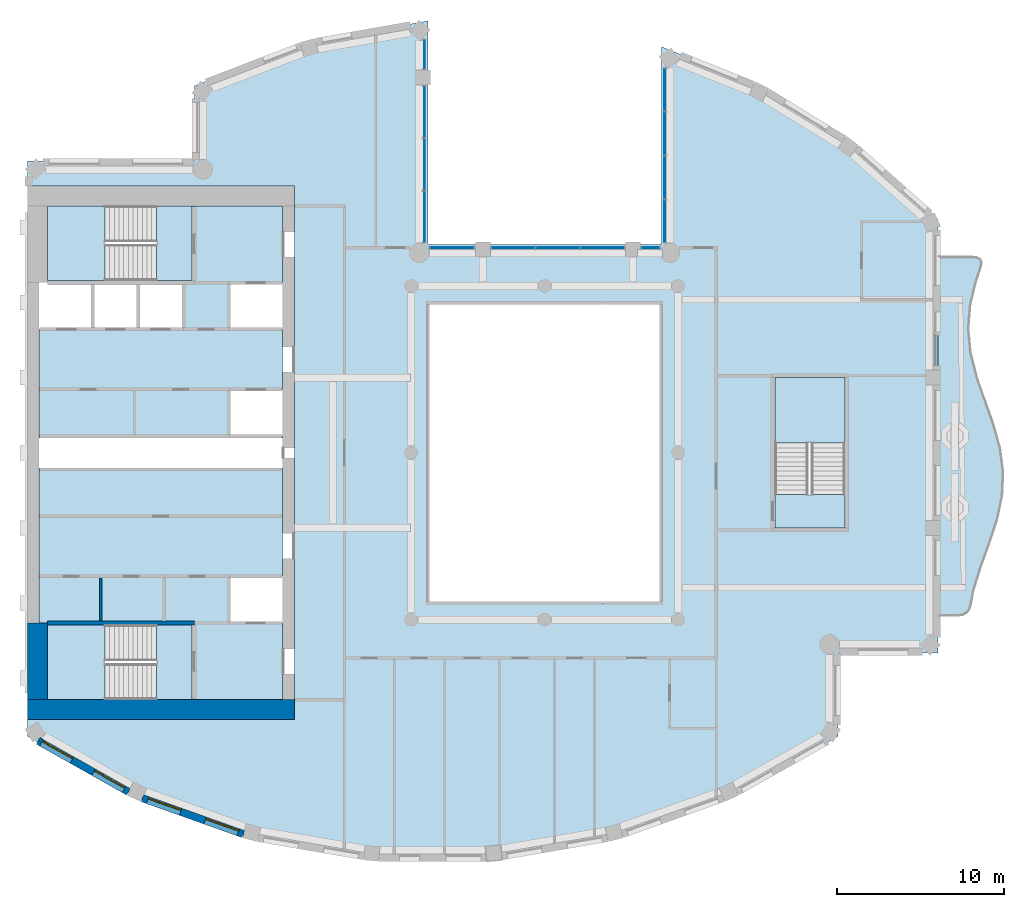
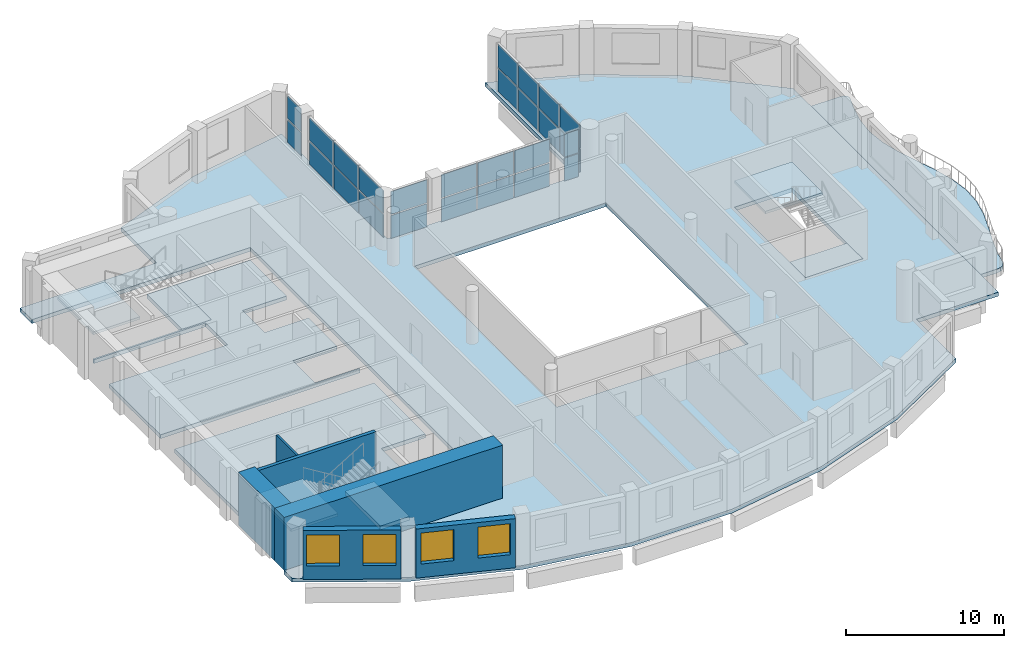
# One storey, part 4 of 15: 26 plates, 10 slabs, 6 walls, 4 windows, 4 openings, 9 elements without a shape of their own.
"""IFC4 building model written with IfcOpenShell, lengths in metres."""

from ifc_helpers import new_model, si_unit, direction, frame, frame_2d, origin, origin_2d, place, context, subcontext, project, spatial, polyline, rectangle, outline, extrude, material, layer, layer_set, type_object, element, fill, aggregate, save


model = new_model("IFC4")

# Units and contexts
model_context = context("Model", 3, precision=1e-05, world=origin(), true_north=direction((0.0, 1.0)))
body_context = subcontext(model_context, "Body", "Model", "MODEL_VIEW")
ifc_project = project(units=[si_unit("LENGTHUNIT", "METRE"), si_unit("AREAUNIT", "SQUARE_METRE"), si_unit("VOLUMEUNIT", "CUBIC_METRE"), si_unit("PLANEANGLEUNIT", "RADIAN"), si_unit("MASSUNIT", "GRAM", prefix="KILO")], contexts=[model_context])

# Site, building, storey
site_placement = place(None, origin())
site = spatial("IfcSite", under=ifc_project, at=site_placement, CompositionType="ELEMENT")
building_placement = place(site_placement, origin())
building = spatial("IfcBuilding", under=site, at=building_placement, Name="Cypress Arch Tower", CompositionType="ELEMENT")
storey_placement = place(building_placement, frame((0.0, 0.0, 309.0)))
storey = spatial("IfcBuildingStorey", under=building, at=storey_placement, Name="L70", CompositionType="ELEMENT", Elevation=309.0)

# Slabs
ifc_material_1 = material(Name="Concrete C40/50", Category="concrete")
ifc_layer_1 = layer(ifc_material_1, 0.300048828125)
ifc_layer_set_1 = layer_set([ifc_layer_1], Name="Balcony slab BS300")
slab_type_1 = type_object("IfcSlabType", Name="Balcony slab BS300", PredefinedType="USERDEFINED", material=ifc_layer_set_1)
slab_1_placement = place(storey_placement, frame((0.0, 0.0, -0.300048828125)))
element("IfcSlab", 1, at=slab_1_placement, inside=storey, type_object=slab_type_1, Name="Balcony slab L70-C17", ObjectType="BALCONY SLAB", PredefinedType="USERDEFINED", context=body_context, shape_type="SweptSolid", body=[
    extrude(outline(polyline([(24.60009765625, -9.75), (25.78076171875, -9.75), (26.074462890625, -9.709716796875), (26.300537109375, -9.5888671875), (26.459228515625, -9.38720703125), (26.55029296875, -9.10498046875), (26.6904296875, -8.316650390625), (27.13134765625, -6.88330078125), (27.650390625, -5.449951171875), (28.1201171875, -4.0166015625), (28.42578125, -2.583251953125), (28.4921875, -1.14990234375), (28.302978515625, 0.283447265625), (27.90478515625, 1.716552734375), (27.39501953125, 3.14990234375), (26.898681640625, 4.583251953125), (26.53759765625, 6.0166015625), (26.400146484375, 7.449951171875), (26.52001953125, 8.88330078125), (26.867919921875, 10.316650390625), (27.1376953125, 11.10498046875), (27.191650390625, 11.38720703125), (27.1328125, 11.5888671875), (26.961181640625, 11.709716796875), (26.6767578125, 11.75), (24.60009765625, 11.75), (24.60009765625, -9.75)])), origin(), (0.0, 0.0, 1.0), 0.300048828125),
])
ifc_material_2 = material(Name="Concrete C40/50", Category="concrete")
ifc_layer_2 = layer(ifc_material_2, 0.300048828125)
ifc_layer_set_2 = layer_set([ifc_layer_2], Name="Core floor CF300")
slab_type_2 = type_object("IfcSlabType", Name="Core floor CF300", PredefinedType="FLOOR", material=ifc_layer_set_2)
slab_2_placement = place(storey_placement, frame((0.0, 0.0, -0.300048828125)))
element("IfcSlab", 2, at=slab_2_placement, inside=storey, type_object=slab_type_2, Name="Core floor", PredefinedType="FLOOR", context=body_context, shape_type="SweptSolid", body=[
    extrude(outline(polyline([(-28.89990234375, -10.199951171875), (-29.300048828125, -10.199951171875), (-29.300048828125, -0.89990234375), (-28.89990234375, -0.89990234375), (-15.10009765625, -0.89990234375), (-14.699951171875, -0.89990234375), (-14.699951171875, -7.39990234375), (-15.10009765625, -7.39990234375), (-17.919921875, -7.39990234375), (-17.919921875, -10.199951171875), (-15.10009765625, -10.199951171875), (-14.699951171875, -10.199951171875), (-14.699951171875, -14.800048828125), (-15.10009765625, -14.800048828125), (-20.125, -14.800048828125), (-20.125, -10.324951171875), (-22.27490234375, -10.324951171875), (-28.800048828125, -10.324951171875), (-28.800048828125, -10.199951171875), (-28.89990234375, -10.199951171875)])), origin(), (0.0, 0.0, 1.0), 0.300048828125),
])
slab_3_placement = place(storey_placement, frame((0.0, 0.0, -0.300048828125)))
element("IfcSlab", 3, at=slab_3_placement, inside=storey, type_object=slab_type_2, Name="Core floor", PredefinedType="FLOOR", context=body_context, shape_type="SweptSolid", body=[
    extrude(outline(polyline([(-22.27490234375, -10.324951171875), (-22.27490234375, -14.800048828125), (-20.125, -14.800048828125), (-20.125, -10.324951171875), (-22.27490234375, -10.324951171875)])), origin(), (0.0, 0.0, 1.0), 0.300048828125),
])
slab_4_placement = place(storey_placement, frame((0.0, 0.0, -0.300048828125)))
element("IfcSlab", 4, at=slab_4_placement, inside=storey, type_object=slab_type_2, Name="Core floor", PredefinedType="FLOOR", context=body_context, shape_type="SweptSolid", body=[
    extrude(outline(polyline([(-20.125, 14.800048828125), (-22.27490234375, 14.800048828125), (-22.27490234375, 10.324951171875), (-20.125, 10.324951171875), (-20.125, 14.800048828125)])), origin(), (0.0, 0.0, 1.0), 0.300048828125),
])
slab_5_placement = place(storey_placement, frame((0.0, 0.0, -0.300048828125)))
element("IfcSlab", 5, at=slab_5_placement, inside=storey, type_object=slab_type_2, Name="Stair floor landing", PredefinedType="FLOOR", context=body_context, shape_type="SweptSolid", body=[
    extrude(outline(polyline([(19.0, -4.5), (19.0, -2.5), (14.800048828125, -2.5), (14.800048828125, -4.5), (19.0, -4.5)])), origin(), (0.0, 0.0, 1.0), 0.300048828125),
])
slab_6_placement = place(storey_placement, frame((0.0, 0.0, -0.300048828125)))
element("IfcSlab", 6, at=slab_6_placement, inside=storey, type_object=slab_type_2, Name="Core floor", PredefinedType="FLOOR", context=body_context, shape_type="SweptSolid", body=[
    extrude(outline(polyline([(-20.639892578125, 10.199951171875), (-23.360107421875, 10.199951171875), (-26.080078125, 10.199951171875), (-28.800048828125, 10.199951171875), (-28.800048828125, 10.324951171875), (-22.27490234375, 10.324951171875), (-20.125, 10.324951171875), (-20.125, 14.800048828125), (-15.10009765625, 14.800048828125), (-14.699951171875, 14.800048828125), (-14.699951171875, 10.199951171875), (-15.10009765625, 10.199951171875), (-17.919921875, 10.199951171875), (-17.919921875, 7.39990234375), (-15.10009765625, 7.39990234375), (-14.699951171875, 7.39990234375), (-14.699951171875, 3.800048828125), (-15.10009765625, 3.800048828125), (-17.919921875, 3.800048828125), (-17.919921875, 1.5), (-17.919921875, 1.0), (-17.5, 1.0), (-15.10009765625, 1.0), (-14.699951171875, 1.0), (-14.699951171875, 0.89990234375), (-15.10009765625, 0.89990234375), (-17.5, 0.89990234375), (-18.300048828125, 0.89990234375), (-28.89990234375, 0.89990234375), (-29.300048828125, 0.89990234375), (-29.300048828125, 1.5), (-29.300048828125, 7.39990234375), (-28.89990234375, 7.39990234375), (-26.080078125, 7.39990234375), (-23.360107421875, 7.39990234375), (-20.639892578125, 7.39990234375), (-20.639892578125, 10.199951171875)])), origin(), (0.0, 0.0, 1.0), 0.300048828125),
])

# Curtain wall, plates
ifc_material_3 = material(Name="Anodised aluminium, bronze finish, clear laminated double glazing", Category="aluminium")
curtain_wall_type = type_object("IfcCurtainWallType", Name="Curtain wall CW7 slot glazing", PredefinedType="NOTDEFINED", material=ifc_material_3)
curtain_wall_1_placement = place(storey_placement, origin())
curtain_wall_1 = element("IfcCurtainWall", 7, at=curtain_wall_1_placement, inside=storey, type_object=curtain_wall_type, Name="Curtain wall L70 slot C00.0", PredefinedType="NOTDEFINED")
ifc_material_4 = material(Name="Clear laminated double glazing", Category="glass")
ifc_layer_3 = layer(ifc_material_4, 0.0439453125)
ifc_layer_set_3 = layer_set([ifc_layer_3], Name="Glass panel CW7 44")
plate_type = type_object("IfcPlateType", Name="Glass panel CW7 44", PredefinedType="CURTAIN_PANEL", material=ifc_layer_set_3)
plate_1_placement = place(storey_placement, frame((8.199951171875, 21.76220703125, 0.0849609375), z_axis=(0.0, 0.0, 1.0), x_axis=(0.0, -1.0, 0.0)))
plate_1 = element("IfcPlate", 8, at=plate_1_placement, type_object=plate_type, Name="CW7 panel 1.1", PredefinedType="CURTAIN_PANEL", context=body_context, shape_type="SweptSolid", body=[
    extrude(rectangle(XDim=2.510986328125, YDim=0.0439453125, at=origin_2d()), origin(), (0.0, 0.0, 1.0), 1.7724609375),
])
plate_2_placement = place(storey_placement, frame((8.199951171875, 21.76220703125, 1.942626953125), z_axis=(0.0, 0.0, 1.0), x_axis=(0.0, -1.0, 0.0)))
plate_2 = element("IfcPlate", 9, at=plate_2_placement, type_object=plate_type, Name="CW7 panel 1.2", PredefinedType="CURTAIN_PANEL", context=body_context, shape_type="SweptSolid", body=[
    extrude(rectangle(XDim=2.510986328125, YDim=0.0439453125, at=origin_2d()), origin(), (0.0, 0.0, 1.0), 1.7724609375),
])
plate_3_placement = place(storey_placement, frame((8.199951171875, 19.144775390625, 0.0849609375), z_axis=(0.0, 0.0, 1.0), x_axis=(0.0, -1.0, 0.0)))
plate_3 = element("IfcPlate", 10, at=plate_3_placement, type_object=plate_type, Name="CW7 panel 2.1", PredefinedType="CURTAIN_PANEL", context=body_context, shape_type="SweptSolid", body=[
    extrude(rectangle(XDim=2.553466796875, YDim=0.0439453125, at=origin_2d()), origin(), (0.0, 0.0, 1.0), 1.7724609375),
])
plate_4_placement = place(storey_placement, frame((8.199951171875, 19.144775390625, 1.942626953125), z_axis=(0.0, 0.0, 1.0), x_axis=(0.0, -1.0, 0.0)))
plate_4 = element("IfcPlate", 11, at=plate_4_placement, type_object=plate_type, Name="CW7 panel 2.2", PredefinedType="CURTAIN_PANEL", context=body_context, shape_type="SweptSolid", body=[
    extrude(rectangle(XDim=2.553466796875, YDim=0.0439453125, at=origin_2d()), origin(), (0.0, 0.0, 1.0), 1.7724609375),
])
plate_5_placement = place(storey_placement, frame((8.199951171875, 16.50634765625, 0.0849609375), z_axis=(0.0, 0.0, 1.0), x_axis=(0.0, -1.0, 0.0)))
plate_5 = element("IfcPlate", 12, at=plate_5_placement, type_object=plate_type, Name="CW7 panel 3.1", PredefinedType="CURTAIN_PANEL", context=body_context, shape_type="SweptSolid", body=[
    extrude(rectangle(XDim=2.553466796875, YDim=0.0439453125, at=origin_2d()), origin(), (0.0, 0.0, 1.0), 1.7724609375),
])
plate_6_placement = place(storey_placement, frame((8.199951171875, 16.50634765625, 1.942626953125), z_axis=(0.0, 0.0, 1.0), x_axis=(0.0, -1.0, 0.0)))
plate_6 = element("IfcPlate", 13, at=plate_6_placement, type_object=plate_type, Name="CW7 panel 3.2", PredefinedType="CURTAIN_PANEL", context=body_context, shape_type="SweptSolid", body=[
    extrude(rectangle(XDim=2.553466796875, YDim=0.0439453125, at=origin_2d()), origin(), (0.0, 0.0, 1.0), 1.7724609375),
])
plate_7_placement = place(storey_placement, frame((8.199951171875, 13.888916015625, 0.0849609375), z_axis=(0.0, 0.0, 1.0), x_axis=(0.0, -1.0, 0.0)))
plate_7 = element("IfcPlate", 14, at=plate_7_placement, type_object=plate_type, Name="CW7 panel 4.1", PredefinedType="CURTAIN_PANEL", context=body_context, shape_type="SweptSolid", body=[
    extrude(rectangle(XDim=2.510986328125, YDim=0.0439453125, at=origin_2d()), origin(), (0.0, 0.0, 1.0), 1.7724609375),
])
plate_8_placement = place(storey_placement, frame((8.199951171875, 13.888916015625, 1.942626953125), z_axis=(0.0, 0.0, 1.0), x_axis=(0.0, -1.0, 0.0)))
plate_8 = element("IfcPlate", 15, at=plate_8_placement, type_object=plate_type, Name="CW7 panel 4.2", PredefinedType="CURTAIN_PANEL", context=body_context, shape_type="SweptSolid", body=[
    extrude(rectangle(XDim=2.510986328125, YDim=0.0439453125, at=origin_2d()), origin(), (0.0, 0.0, 1.0), 1.7724609375),
])
aggregate(curtain_wall_1, [plate_1, plate_2, plate_3, plate_4, plate_5, plate_6, plate_7, plate_8])

curtain_wall_2_placement = place(storey_placement, origin())
curtain_wall_2 = element("IfcCurtainWall", 16, at=curtain_wall_2_placement, inside=storey, type_object=curtain_wall_type, Name="Curtain wall L70 slot C01.0", PredefinedType="NOTDEFINED")
plate_9_placement = place(storey_placement, frame((7.350830078125, 12.300048828125, 0.0849609375), z_axis=(0.0, 0.0, 1.0), x_axis=(-1.0, 0.0, 0.0)))
plate_9 = element("IfcPlate", 17, at=plate_9_placement, type_object=plate_type, Name="CW7 panel 1.1", PredefinedType="CURTAIN_PANEL", context=body_context, shape_type="SweptSolid", body=[
    extrude(rectangle(XDim=1.031494140625, YDim=0.0439453125, at=origin_2d()), origin(), (0.0, 0.0, 1.0), 1.7724609375),
])
plate_10_placement = place(storey_placement, frame((7.350830078125, 12.300048828125, 1.942626953125), z_axis=(0.0, 0.0, 1.0), x_axis=(-1.0, 0.0, 0.0)))
plate_10 = element("IfcPlate", 18, at=plate_10_placement, type_object=plate_type, Name="CW7 panel 1.2", PredefinedType="CURTAIN_PANEL", context=body_context, shape_type="SweptSolid", body=[
    extrude(rectangle(XDim=1.031494140625, YDim=0.0439453125, at=origin_2d()), origin(), (0.0, 0.0, 1.0), 1.7724609375),
])
aggregate(curtain_wall_2, [plate_9, plate_10])

curtain_wall_3_placement = place(storey_placement, origin())
curtain_wall_3 = element("IfcCurtainWall", 19, at=curtain_wall_3_placement, inside=storey, type_object=curtain_wall_type, Name="Curtain wall L70 slot C01.1", PredefinedType="NOTDEFINED")
plate_11_placement = place(storey_placement, frame((4.478759765625, 12.300048828125, 0.0849609375), z_axis=(0.0, 0.0, 1.0), x_axis=(-1.0, 0.0, 0.0)))
plate_11 = element("IfcPlate", 20, at=plate_11_placement, type_object=plate_type, Name="CW7 panel 1.1", PredefinedType="CURTAIN_PANEL", context=body_context, shape_type="SweptSolid", body=[
    extrude(rectangle(XDim=2.572509765625, YDim=0.0439453125, at=origin_2d()), origin(), (0.0, 0.0, 1.0), 1.7724609375),
])
plate_12_placement = place(storey_placement, frame((4.478759765625, 12.300048828125, 1.942626953125), z_axis=(0.0, 0.0, 1.0), x_axis=(-1.0, 0.0, 0.0)))
plate_12 = element("IfcPlate", 21, at=plate_12_placement, type_object=plate_type, Name="CW7 panel 1.2", PredefinedType="CURTAIN_PANEL", context=body_context, shape_type="SweptSolid", body=[
    extrude(rectangle(XDim=2.572509765625, YDim=0.0439453125, at=origin_2d()), origin(), (0.0, 0.0, 1.0), 1.7724609375),
])
plate_13_placement = place(storey_placement, frame((1.800048828125, 12.300048828125, 0.0849609375), z_axis=(0.0, 0.0, 1.0), x_axis=(-1.0, 0.0, 0.0)))
plate_13 = element("IfcPlate", 22, at=plate_13_placement, type_object=plate_type, Name="CW7 panel 2.1", PredefinedType="CURTAIN_PANEL", context=body_context, shape_type="SweptSolid", body=[
    extrude(rectangle(XDim=2.614990234375, YDim=0.0439453125, at=origin_2d()), origin(), (0.0, 0.0, 1.0), 1.7724609375),
])
plate_14_placement = place(storey_placement, frame((1.800048828125, 12.300048828125, 1.942626953125), z_axis=(0.0, 0.0, 1.0), x_axis=(-1.0, 0.0, 0.0)))
plate_14 = element("IfcPlate", 23, at=plate_14_placement, type_object=plate_type, Name="CW7 panel 2.2", PredefinedType="CURTAIN_PANEL", context=body_context, shape_type="SweptSolid", body=[
    extrude(rectangle(XDim=2.614990234375, YDim=0.0439453125, at=origin_2d()), origin(), (0.0, 0.0, 1.0), 1.7724609375),
])
plate_15_placement = place(storey_placement, frame((-0.878662109375, 12.300048828125, 0.0849609375), z_axis=(0.0, 0.0, 1.0), x_axis=(-1.0, 0.0, 0.0)))
plate_15 = element("IfcPlate", 24, at=plate_15_placement, type_object=plate_type, Name="CW7 panel 3.1", PredefinedType="CURTAIN_PANEL", context=body_context, shape_type="SweptSolid", body=[
    extrude(rectangle(XDim=2.572509765625, YDim=0.0439453125, at=origin_2d()), origin(), (0.0, 0.0, 1.0), 1.7724609375),
])
plate_16_placement = place(storey_placement, frame((-0.878662109375, 12.300048828125, 1.942626953125), z_axis=(0.0, 0.0, 1.0), x_axis=(-1.0, 0.0, 0.0)))
plate_16 = element("IfcPlate", 25, at=plate_16_placement, type_object=plate_type, Name="CW7 panel 3.2", PredefinedType="CURTAIN_PANEL", context=body_context, shape_type="SweptSolid", body=[
    extrude(rectangle(XDim=2.572509765625, YDim=0.0439453125, at=origin_2d()), origin(), (0.0, 0.0, 1.0), 1.7724609375),
])
aggregate(curtain_wall_3, [plate_11, plate_12, plate_13, plate_14, plate_15, plate_16])

curtain_wall_4_placement = place(storey_placement, origin())
curtain_wall_4 = element("IfcCurtainWall", 26, at=curtain_wall_4_placement, inside=storey, type_object=curtain_wall_type, Name="Curtain wall L70 slot C01.2", PredefinedType="NOTDEFINED")
plate_17_placement = place(storey_placement, frame((-4.55078125, 12.300048828125, 0.0849609375), z_axis=(0.0, 0.0, 1.0), x_axis=(-1.0, 0.0, 0.0)))
plate_17 = element("IfcPlate", 27, at=plate_17_placement, type_object=plate_type, Name="CW7 panel 1.1", PredefinedType="CURTAIN_PANEL", context=body_context, shape_type="SweptSolid", body=[
    extrude(rectangle(XDim=2.631591796875, YDim=0.0439453125, at=origin_2d()), origin(), (0.0, 0.0, 1.0), 1.7724609375),
])
plate_18_placement = place(storey_placement, frame((-4.55078125, 12.300048828125, 1.942626953125), z_axis=(0.0, 0.0, 1.0), x_axis=(-1.0, 0.0, 0.0)))
plate_18 = element("IfcPlate", 28, at=plate_18_placement, type_object=plate_type, Name="CW7 panel 1.2", PredefinedType="CURTAIN_PANEL", context=body_context, shape_type="SweptSolid", body=[
    extrude(rectangle(XDim=2.631591796875, YDim=0.0439453125, at=origin_2d()), origin(), (0.0, 0.0, 1.0), 1.7724609375),
])
aggregate(curtain_wall_4, [plate_17, plate_18])

curtain_wall_5_placement = place(storey_placement, origin())
curtain_wall_5 = element("IfcCurtainWall", 29, at=curtain_wall_5_placement, inside=storey, type_object=curtain_wall_type, Name="Curtain wall L70 slot C02.0", PredefinedType="NOTDEFINED")
plate_19_placement = place(storey_placement, frame((-6.199951171875, 14.1533203125, 0.0849609375), z_axis=(0.0, 0.0, 1.0), x_axis=(0.0, 1.0, 0.0)))
plate_19 = element("IfcPlate", 30, at=plate_19_placement, type_object=plate_type, Name="CW7 panel 1.1", PredefinedType="CURTAIN_PANEL", context=body_context, shape_type="SweptSolid", body=[
    extrude(rectangle(XDim=3.039794921875, YDim=0.0439453125, at=origin_2d()), origin(), (0.0, 0.0, 1.0), 1.7724609375),
])
plate_20_placement = place(storey_placement, frame((-6.199951171875, 14.1533203125, 1.942626953125), z_axis=(0.0, 0.0, 1.0), x_axis=(0.0, 1.0, 0.0)))
plate_20 = element("IfcPlate", 31, at=plate_20_placement, type_object=plate_type, Name="CW7 panel 1.2", PredefinedType="CURTAIN_PANEL", context=body_context, shape_type="SweptSolid", body=[
    extrude(rectangle(XDim=3.039794921875, YDim=0.0439453125, at=origin_2d()), origin(), (0.0, 0.0, 1.0), 1.7724609375),
])
plate_21_placement = place(storey_placement, frame((-6.199951171875, 17.29931640625, 0.0849609375), z_axis=(0.0, 0.0, 1.0), x_axis=(0.0, 1.0, 0.0)))
plate_21 = element("IfcPlate", 32, at=plate_21_placement, type_object=plate_type, Name="CW7 panel 2.1", PredefinedType="CURTAIN_PANEL", context=body_context, shape_type="SweptSolid", body=[
    extrude(rectangle(XDim=3.082275390625, YDim=0.0439453125, at=origin_2d()), origin(), (0.0, 0.0, 1.0), 1.7724609375),
])
plate_22_placement = place(storey_placement, frame((-6.199951171875, 17.29931640625, 1.942626953125), z_axis=(0.0, 0.0, 1.0), x_axis=(0.0, 1.0, 0.0)))
plate_22 = element("IfcPlate", 33, at=plate_22_placement, type_object=plate_type, Name="CW7 panel 2.2", PredefinedType="CURTAIN_PANEL", context=body_context, shape_type="SweptSolid", body=[
    extrude(rectangle(XDim=3.082275390625, YDim=0.0439453125, at=origin_2d()), origin(), (0.0, 0.0, 1.0), 1.7724609375),
])
plate_23_placement = place(storey_placement, frame((-6.199951171875, 20.445068359375, 0.0849609375), z_axis=(0.0, 0.0, 1.0), x_axis=(0.0, 1.0, 0.0)))
plate_23 = element("IfcPlate", 34, at=plate_23_placement, type_object=plate_type, Name="CW7 panel 3.1", PredefinedType="CURTAIN_PANEL", context=body_context, shape_type="SweptSolid", body=[
    extrude(rectangle(XDim=3.039794921875, YDim=0.0439453125, at=origin_2d()), origin(), (0.0, 0.0, 1.0), 1.7724609375),
])
plate_24_placement = place(storey_placement, frame((-6.199951171875, 20.445068359375, 1.942626953125), z_axis=(0.0, 0.0, 1.0), x_axis=(0.0, 1.0, 0.0)))
plate_24 = element("IfcPlate", 35, at=plate_24_placement, type_object=plate_type, Name="CW7 panel 3.2", PredefinedType="CURTAIN_PANEL", context=body_context, shape_type="SweptSolid", body=[
    extrude(rectangle(XDim=3.039794921875, YDim=0.0439453125, at=origin_2d()), origin(), (0.0, 0.0, 1.0), 1.7724609375),
])
aggregate(curtain_wall_5, [plate_19, plate_20, plate_21, plate_22, plate_23, plate_24])

curtain_wall_6_placement = place(storey_placement, origin())
curtain_wall_6 = element("IfcCurtainWall", 36, at=curtain_wall_6_placement, inside=storey, type_object=curtain_wall_type, Name="Curtain wall L70 slot C02.1", PredefinedType="NOTDEFINED")
plate_25_placement = place(storey_placement, frame((-6.199951171875, 23.89111328125, 0.0849609375), z_axis=(0.0, 0.0, 1.0), x_axis=(0.0, 1.0, 0.0)))
plate_25 = element("IfcPlate", 37, at=plate_25_placement, type_object=plate_type, Name="CW7 panel 1.1", PredefinedType="CURTAIN_PANEL", context=body_context, shape_type="SweptSolid", body=[
    extrude(rectangle(XDim=1.71240234375, YDim=0.0439453125, at=origin_2d()), origin(), (0.0, 0.0, 1.0), 1.7724609375),
])
plate_26_placement = place(storey_placement, frame((-6.199951171875, 23.89111328125, 1.942626953125), z_axis=(0.0, 0.0, 1.0), x_axis=(0.0, 1.0, 0.0)))
plate_26 = element("IfcPlate", 38, at=plate_26_placement, type_object=plate_type, Name="CW7 panel 1.2", PredefinedType="CURTAIN_PANEL", context=body_context, shape_type="SweptSolid", body=[
    extrude(rectangle(XDim=1.71240234375, YDim=0.0439453125, at=origin_2d()), origin(), (0.0, 0.0, 1.0), 1.7724609375),
])
aggregate(curtain_wall_6, [plate_25, plate_26])

# Slab
ifc_material_5 = material(Name="Concrete C40/50", Category="concrete")
ifc_layer_4 = layer(ifc_material_5, 0.300048828125)
ifc_layer_set_4 = layer_set([ifc_layer_4], Name="PT flat slab 300 Concrete C40/50")
slab_type_3 = type_object("IfcSlabType", Name="PT flat slab 300 Concrete C40/50", PredefinedType="FLOOR", material=ifc_layer_set_4)
slab_7_placement = place(storey_placement, frame((0.0, 0.0, -0.300048828125)))
element("IfcSlab", 39, at=slab_7_placement, inside=storey, type_object=slab_type_3, Name="Floor slab L70", PredefinedType="FLOOR", context=body_context, shape_type="SweptSolid", body=[
    extrude(outline(polyline([(-30.0, 17.5), (-20.0, 17.5), (-20.0, 22.0), (-13.199951171875, 24.6201171875), (-6.0, 25.889892578125), (-6.0, 12.5), (8.0, 12.5), (8.0, 24.35009765625), (14.0, 21.93994140625), (19.39990234375, 18.6201171875), (24.60009765625, 14.0), (24.60009765625, -12.0), (18.60009765625, -12.0), (18.60009765625, -17.0), (12.179931640625, -20.6201171875), (5.239990234375, -23.090087890625), (-2.02001953125, -24.340087890625), (-9.3798828125, -24.340087890625), (-16.639892578125, -23.090087890625), (-23.580078125, -20.6201171875), (-30.0, -17.0), (-30.0, -16.0), (-14.0, -16.0), (-14.0, 16.0), (-30.0, 16.0), (-30.0, 17.5)]), holes=[polyline([(-6.0, -9.0), (8.0, -9.0), (8.0, 9.0), (-6.0, 9.0), (-6.0, -9.0)]), polyline([(14.800048828125, -4.5), (19.0, -4.5), (19.0, 4.5), (14.800048828125, 4.5), (14.800048828125, -4.5)])]), origin(), (0.0, 0.0, 1.0), 0.300048828125),
])

# Stair, slab
ifc_material_6 = material(Name="Concrete C40/50", Category="concrete")
stair_type_1 = type_object("IfcStairType", Name="Exit stair ES1708-215", PredefinedType="HALF_TURN_STAIR", material=ifc_material_6)
stair_1_placement = place(storey_placement, origin())
stair_1 = element("IfcStair", 40, at=stair_1_placement, inside=storey, type_object=stair_type_1, Name="L70 Exit stair A", PredefinedType="HALF_TURN_STAIR")
ifc_material_7 = material(Name="Concrete C40/50", Category="concrete")
ifc_layer_5 = layer(ifc_material_7, 0.199951171875)
ifc_layer_set_5 = layer_set([ifc_layer_5], Name="Stair landing SL200")
slab_type_4 = type_object("IfcSlabType", Name="Stair landing SL200", PredefinedType="LANDING", material=ifc_layer_set_5)
slab_8_placement = place(storey_placement, frame((0.0, 0.0, 1.85009765625)))
slab_8 = element("IfcSlab", 41, at=slab_8_placement, type_object=slab_type_4, Name="A landing 1", PredefinedType="LANDING", context=body_context, shape_type="SweptSolid", body=[
    extrude(outline(polyline([(-25.35498046875, -10.324951171875), (-28.800048828125, -10.324951171875), (-28.800048828125, -14.800048828125), (-25.35498046875, -14.800048828125), (-25.35498046875, -10.324951171875)])), origin(), (0.0, 0.0, 1.0), 0.199951171875),
])
aggregate(stair_1, [slab_8])

stair_2_placement = place(storey_placement, origin())
stair_2 = element("IfcStair", 42, at=stair_2_placement, inside=storey, type_object=stair_type_1, Name="L70 Exit stair B", PredefinedType="HALF_TURN_STAIR")
slab_9_placement = place(storey_placement, frame((0.0, 0.0, 1.85009765625)))
slab_9 = element("IfcSlab", 43, at=slab_9_placement, type_object=slab_type_4, Name="B landing 1", PredefinedType="LANDING", context=body_context, shape_type="SweptSolid", body=[
    extrude(outline(polyline([(-25.35498046875, 14.800048828125), (-28.800048828125, 14.800048828125), (-28.800048828125, 10.324951171875), (-25.35498046875, 10.324951171875), (-25.35498046875, 14.800048828125)])), origin(), (0.0, 0.0, 1.0), 0.199951171875),
])
aggregate(stair_2, [slab_9])

ifc_material_8 = material(Name="Concrete C40/50", Category="concrete")
stair_type_2 = type_object("IfcStairType", Name="Exit stair ES1708-200", PredefinedType="HALF_TURN_STAIR", material=ifc_material_8)
stair_3_placement = place(storey_placement, origin())
stair_3 = element("IfcStair", 44, at=stair_3_placement, inside=storey, type_object=stair_type_2, Name="L70 Exit stair C", PredefinedType="HALF_TURN_STAIR")
slab_10_placement = place(storey_placement, frame((0.0, 0.0, 1.85009765625)))
slab_10 = element("IfcSlab", 45, at=slab_10_placement, type_object=slab_type_4, Name="C landing 1", PredefinedType="LANDING", context=body_context, shape_type="SweptSolid", body=[
    extrude(outline(polyline([(19.0, 0.580078125), (19.0, 4.5), (14.800048828125, 4.5), (14.800048828125, 0.580078125), (19.0, 0.580078125)])), origin(), (0.0, 0.0, 1.0), 0.199951171875),
])
aggregate(stair_3, [slab_10])

# Wall, openings, windows
ifc_material_9 = material(Name="Brick (red buff blend)", Category="masonry")
ifc_layer_6 = layer(ifc_material_9, 0.449951171875)
ifc_layer_set_6 = layer_set([ifc_layer_6], Name="Brick pier and spandrel wall BW450")
wall_type_1 = type_object("IfcWallType", Name="Brick pier and spandrel wall BW450", PredefinedType="SOLIDWALL", material=ifc_layer_set_6)
wall_1_placement = place(storey_placement, frame((-29.3564453125, -17.276611328125, 0.0), z_axis=(0.0, 0.0, 1.0), x_axis=(0.871065783524, -0.491166367714, 0.0)))
wall_1 = element("IfcWall", 46, at=wall_1_placement, inside=storey, type_object=wall_type_1, Name="Brick wall L70 C08.0", PredefinedType="SOLIDWALL", context=body_context, shape_type="SweptSolid", body=[
    extrude(rectangle(XDim=6.1962890625, YDim=0.449951171875, at=frame_2d((3.09814453125, 0.0))), origin(), (0.0, 0.0, 1.0), 3.800048828125),
])
opening_1_placement = place(wall_1_placement, frame((0.22119140625, 0.0, 1.050048828125)))
opening_1 = element("IfcOpeningElement", 47, at=opening_1_placement, cuts=wall_1, Name="Opening W210O", PredefinedType="OPENING", context=body_context, shape_type="SweptSolid", body=[
    extrude(rectangle(XDim=2.10009765625, YDim=2.39990234375, at=frame_2d((1.050048828125, 1.199951171875))), frame((0.0, 0.23486328125, 0.0), z_axis=(0.0, -1.0, 0.0), x_axis=(1.0, 0.0, 0.0)), (0.0, 0.0, 1.0), 0.469970703125),
])
opening_2_placement = place(wall_1_placement, frame((3.8056640625, 0.0, 1.050048828125)))
opening_2 = element("IfcOpeningElement", 48, at=opening_2_placement, cuts=wall_1, Name="Opening W210O", PredefinedType="OPENING", context=body_context, shape_type="SweptSolid", body=[
    extrude(rectangle(XDim=2.10009765625, YDim=2.39990234375, at=frame_2d((1.050048828125, 1.199951171875))), frame((0.0, 0.23486328125, 0.0), z_axis=(0.0, -1.0, 0.0), x_axis=(1.0, 0.0, 0.0)), (0.0, 0.0, 1.0), 0.469970703125),
])
ifc_material_10 = material(Name="Anodised aluminium, bronze finish, clear low-emissivity double glazing", Category="aluminium")
window_type = type_object("IfcWindowType", Name="Window Office 2100x2400", PartitioningType="SINGLE_PANEL", PredefinedType="WINDOW", material=ifc_material_10)
window_1_placement = place(opening_1_placement, origin())
window_1 = element("IfcWindow", 49, at=window_1_placement, inside=storey, type_object=window_type, Name="Window L70 C08.0.1", OverallHeight=2.39990234375, OverallWidth=2.10009765625, PartitioningType="SINGLE_PANEL", PredefinedType="WINDOW", context=body_context, shape_type="SweptSolid", body=[
    extrude(rectangle(XDim=2.10009765625, YDim=2.39990234375, at=frame_2d((1.050048828125, 1.199951171875))), frame((0.0, 0.135009765625, 0.0), z_axis=(0.0, -1.0, 0.0), x_axis=(1.0, 0.0, 0.0)), (0.0, 0.0, 1.0), 0.06005859375),
])
fill(opening_1, window_1)
window_2_placement = place(opening_2_placement, origin())
window_2 = element("IfcWindow", 50, at=window_2_placement, inside=storey, type_object=window_type, Name="Window L70 C08.0.2", OverallHeight=2.39990234375, OverallWidth=2.10009765625, PartitioningType="SINGLE_PANEL", PredefinedType="WINDOW", context=body_context, shape_type="SweptSolid", body=[
    extrude(rectangle(XDim=2.10009765625, YDim=2.39990234375, at=frame_2d((1.050048828125, 1.199951171875))), frame((0.0, 0.135009765625, 0.0), z_axis=(0.0, -1.0, 0.0), x_axis=(1.0, 0.0, 0.0)), (0.0, 0.0, 1.0), 0.06005859375),
])
fill(opening_2, window_2)

wall_2_placement = place(storey_placement, frame((-23.10498046875, -20.70947265625, 0.0), z_axis=(0.0, 0.0, 1.0), x_axis=(0.942104058931, -0.335320655711, 0.0)))
wall_2 = element("IfcWall", 51, at=wall_2_placement, inside=storey, type_object=wall_type_1, Name="Brick wall L70 C09.0", PredefinedType="SOLIDWALL", context=body_context, shape_type="SweptSolid", body=[
    extrude(rectangle(XDim=6.411376953125, YDim=0.449951171875, at=frame_2d((3.20556640625, 0.0))), origin(), (0.0, 0.0, 1.0), 3.800048828125),
])
opening_3_placement = place(wall_2_placement, frame((0.3271484375, 0.0, 1.050048828125)))
opening_3 = element("IfcOpeningElement", 52, at=opening_3_placement, cuts=wall_2, Name="Opening W210O", PredefinedType="OPENING", context=body_context, shape_type="SweptSolid", body=[
    extrude(rectangle(XDim=2.10009765625, YDim=2.39990234375, at=frame_2d((1.050048828125, 1.199951171875))), frame((0.0, 0.23486328125, 0.0), z_axis=(0.0, -1.0, 0.0), x_axis=(1.0, 0.0, 0.0)), (0.0, 0.0, 1.0), 0.469970703125),
])
opening_4_placement = place(wall_2_placement, frame((3.984619140625, 0.0, 1.050048828125)))
opening_4 = element("IfcOpeningElement", 53, at=opening_4_placement, cuts=wall_2, Name="Opening W210O", PredefinedType="OPENING", context=body_context, shape_type="SweptSolid", body=[
    extrude(rectangle(XDim=2.10009765625, YDim=2.39990234375, at=frame_2d((1.050048828125, 1.199951171875))), frame((0.0, 0.23486328125, 0.0), z_axis=(0.0, -1.0, 0.0), x_axis=(1.0, 0.0, 0.0)), (0.0, 0.0, 1.0), 0.469970703125),
])
window_3_placement = place(opening_3_placement, origin())
window_3 = element("IfcWindow", 54, at=window_3_placement, inside=storey, type_object=window_type, Name="Window L70 C09.0.1", OverallHeight=2.39990234375, OverallWidth=2.10009765625, PartitioningType="SINGLE_PANEL", PredefinedType="WINDOW", context=body_context, shape_type="SweptSolid", body=[
    extrude(rectangle(XDim=2.10009765625, YDim=2.39990234375, at=frame_2d((1.050048828125, 1.199951171875))), frame((0.0, 0.135009765625, 0.0), z_axis=(0.0, -1.0, 0.0), x_axis=(1.0, 0.0, 0.0)), (0.0, 0.0, 1.0), 0.06005859375),
])
fill(opening_3, window_3)
window_4_placement = place(opening_4_placement, origin())
window_4 = element("IfcWindow", 55, at=window_4_placement, inside=storey, type_object=window_type, Name="Window L70 C09.0.2", OverallHeight=2.39990234375, OverallWidth=2.10009765625, PartitioningType="SINGLE_PANEL", PredefinedType="WINDOW", context=body_context, shape_type="SweptSolid", body=[
    extrude(rectangle(XDim=2.10009765625, YDim=2.39990234375, at=frame_2d((1.050048828125, 1.199951171875))), frame((0.0, 0.135009765625, 0.0), z_axis=(0.0, -1.0, 0.0), x_axis=(1.0, 0.0, 0.0)), (0.0, 0.0, 1.0), 0.06005859375),
])
fill(opening_4, window_4)

# Walls
ifc_material_11 = material(Name="Concrete C60/75", Category="concrete")
ifc_layer_7 = layer(ifc_material_11, 1.199951171875)
ifc_layer_set_7 = layer_set([ifc_layer_7], Name="Core wall CW1200 C60/75")
wall_type_2 = type_object("IfcWallType", Name="Core wall CW1200 C60/75", PredefinedType="SHEAR", material=ifc_layer_set_7)
wall_3_placement = place(storey_placement, frame((-30.0, -15.39990234375, 0.0), z_axis=(0.0, 0.0, 1.0), x_axis=(1.0, 0.0, 0.0)))
element("IfcWall", 56, at=wall_3_placement, inside=storey, type_object=wall_type_2, Name="Core wall", PredefinedType="SHEAR", context=body_context, shape_type="SweptSolid", body=[
    extrude(rectangle(XDim=16.0, YDim=1.199951171875, at=frame_2d((8.0, 0.0))), origin(), (0.0, 0.0, 1.0), 4.10009765625),
])
wall_4_placement = place(storey_placement, frame((-29.39990234375, -14.800048828125, 0.0), z_axis=(0.0, 0.0, 1.0), x_axis=(0.0, 1.0, 0.0)))
element("IfcWall", 57, at=wall_4_placement, inside=storey, type_object=wall_type_2, Name="Core wall", PredefinedType="SHEAR", context=body_context, shape_type="SweptSolid", body=[
    extrude(rectangle(XDim=4.60009765625, YDim=1.199951171875, at=frame_2d((2.300048828125, 0.0))), origin(), (0.0, 0.0, 1.0), 4.10009765625),
])
ifc_material_12 = material(Name="Blockwork, plastered both sides", Category="masonry")
ifc_layer_8 = layer(ifc_material_12, 0.14990234375)
ifc_layer_set_8 = layer_set([ifc_layer_8], Name="Partition PW150")
wall_type_3 = type_object("IfcWallType", Name="Partition PW150", PredefinedType="PARTITIONING", material=ifc_layer_set_8)
wall_5_placement = place(storey_placement, frame((-25.60009765625, -10.074951171875, 0.0), z_axis=(0.0, 0.0, 1.0), x_axis=(0.0, 1.0, 0.0)))
element("IfcWall", 58, at=wall_5_placement, inside=storey, type_object=wall_type_3, Name="Partition", PredefinedType="PARTITIONING", context=body_context, shape_type="SweptSolid", body=[
    extrude(rectangle(XDim=2.574951171875, YDim=0.14990234375, at=frame_2d((1.28759765625, 0.0))), origin(), (0.0, 0.0, 1.0), 3.800048828125),
])
ifc_material_13 = material(Name="Concrete C50/60", Category="concrete")
ifc_layer_9 = layer(ifc_material_13, 0.25)
ifc_layer_set_9 = layer_set([ifc_layer_9], Name="Stair enclosure wall SW250")
wall_type_4 = type_object("IfcWallType", Name="Stair enclosure wall SW250", PredefinedType="SHEAR", material=ifc_layer_set_9)
wall_6_placement = place(storey_placement, frame((-28.81005859375, -10.199951171875, 0.0), z_axis=(0.0, 0.0, 1.0), x_axis=(1.0, 0.0, 0.0)))
element("IfcWall", 59, at=wall_6_placement, inside=storey, type_object=wall_type_4, Name="Stair enclosure wall", PredefinedType="SHEAR", context=body_context, shape_type="SweptSolid", body=[
    extrude(rectangle(XDim=8.81005859375, YDim=0.25, at=frame_2d((4.405029296875, 0.0))), origin(), (0.0, 0.0, 1.0), 3.800048828125),
])

save(model, "model.ifc")
